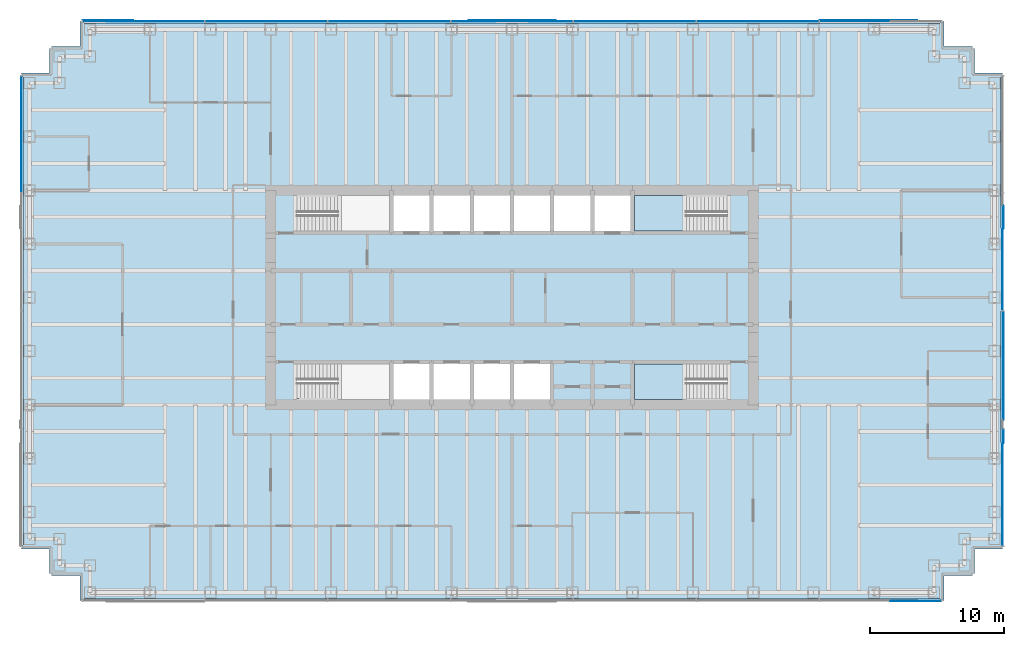
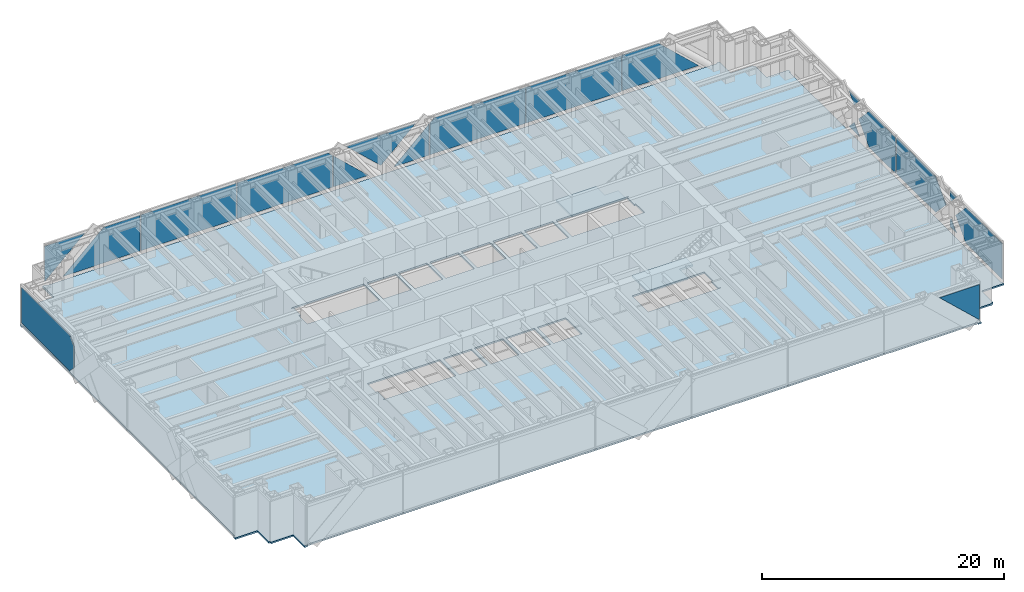
# One storey, part 10 of 18: 19 plates, 3 slabs, 6 elements without a shape of their own.
"""IFC4 building model written with IfcOpenShell, lengths in metres."""

from ifc_helpers import new_model, si_unit, direction, frame, origin, origin_2d, place, context, subcontext, project, spatial, polyline, rectangle, outline, extrude, material, layer, layer_set, type_object, element, aggregate, save


model = new_model("IFC4")

# Units and contexts
model_context = context("Model", 3, precision=1e-05, world=origin(), true_north=direction((0.0, 1.0)))
body_context = subcontext(model_context, "Body", "Model", "MODEL_VIEW")
ifc_project = project(units=[si_unit("LENGTHUNIT", "METRE"), si_unit("AREAUNIT", "SQUARE_METRE"), si_unit("VOLUMEUNIT", "CUBIC_METRE"), si_unit("PLANEANGLEUNIT", "RADIAN"), si_unit("MASSUNIT", "GRAM", prefix="KILO")], contexts=[model_context])

# Site, building, storey
site_placement = place(None, origin())
site = spatial("IfcSite", under=ifc_project, at=site_placement, CompositionType="ELEMENT")
building_placement = place(site_placement, origin())
building = spatial("IfcBuilding", under=site, at=building_placement, Name="Rheinbord Bourse Tower", CompositionType="ELEMENT")
storey_placement = place(building_placement, frame((0.0, 0.0, 244.60009765625)))
storey = spatial("IfcBuildingStorey", under=building, at=storey_placement, Name="L55", CompositionType="ELEMENT", Elevation=244.60009765625)

# Slab
ifc_material_1 = material(Name="Concrete C30/37", Category="concrete")
ifc_layer_1 = layer(ifc_material_1, 0.159912109375)
ifc_layer_set_1 = layer_set([ifc_layer_1], Name="COMPOSITE FLOOR SLAB 160")
slab_type_1 = type_object("IfcSlabType", Name="COMPOSITE FLOOR SLAB 160", PredefinedType="FLOOR", material=ifc_layer_set_1)
slab_1_placement = place(storey_placement, frame((0.0, 0.0, -0.16015625)))
element("IfcSlab", 1, at=slab_1_placement, inside=storey, type_object=slab_type_1, Name="Floor slab L55", PredefinedType="FLOOR", context=body_context, shape_type="SweptSolid", body=[
    extrude(outline(polyline([(1.64990234375, 3.39990234375), (1.5, 3.39990234375), (1.5, 5.25), (-0.60009765625, 5.25), (-0.60009765625, 5.550048828125), (-0.5, 5.550048828125), (-0.5, 40.449951171875), (-0.60009765625, 40.449951171875), (-0.60009765625, 40.75), (1.5, 40.75), (1.5, 42.60009765625), (1.64990234375, 42.60009765625), (1.64990234375, 42.75), (3.75, 42.75), (3.75, 44.60009765625), (4.050048828125, 44.60009765625), (4.050048828125, 44.5), (67.949951171875, 44.5), (67.949951171875, 44.60009765625), (68.25, 44.60009765625), (68.25, 42.75), (70.35009765625, 42.75), (70.35009765625, 42.60009765625), (70.5, 42.60009765625), (70.5, 40.75), (72.60009765625, 40.75), (72.60009765625, 40.449951171875), (72.5, 40.449951171875), (72.5, 5.550048828125), (72.60009765625, 5.550048828125), (72.60009765625, 5.25), (70.5, 5.25), (70.5, 3.39990234375), (70.35009765625, 3.39990234375), (70.35009765625, 3.25), (68.25, 3.25), (68.25, 1.39990234375), (67.949951171875, 1.39990234375), (67.949951171875, 1.5), (4.050048828125, 1.5), (4.050048828125, 1.39990234375), (3.75, 1.39990234375), (3.75, 3.25), (1.64990234375, 3.25), (1.64990234375, 3.39990234375)]), holes=[polyline([(19.949951171875, 19.050048828125), (26.85009765625, 19.050048828125), (26.85009765625, 16.39990234375), (19.949951171875, 16.39990234375), (19.949951171875, 16.449951171875), (20.10009765625, 16.449951171875), (20.10009765625, 17.64990234375), (19.949951171875, 17.64990234375), (19.949951171875, 19.050048828125)]), polyline([(19.949951171875, 31.60009765625), (26.85009765625, 31.60009765625), (26.85009765625, 28.949951171875), (19.949951171875, 28.949951171875), (19.949951171875, 30.35009765625), (20.10009765625, 30.35009765625), (20.10009765625, 31.550048828125), (19.949951171875, 31.550048828125), (19.949951171875, 31.60009765625)]), polyline([(52.050048828125, 16.39990234375), (45.14990234375, 16.39990234375), (45.14990234375, 19.050048828125), (52.050048828125, 19.050048828125), (52.050048828125, 17.64990234375), (51.89990234375, 17.64990234375), (51.89990234375, 16.449951171875), (52.050048828125, 16.449951171875), (52.050048828125, 16.39990234375)]), polyline([(52.050048828125, 28.949951171875), (45.14990234375, 28.949951171875), (45.14990234375, 31.60009765625), (52.050048828125, 31.60009765625), (52.050048828125, 31.550048828125), (51.89990234375, 31.550048828125), (51.89990234375, 30.35009765625), (52.050048828125, 30.35009765625), (52.050048828125, 28.949951171875)]), polyline([(27.14990234375, 16.39990234375), (27.14990234375, 19.050048828125), (29.85009765625, 19.050048828125), (29.85009765625, 16.39990234375), (27.14990234375, 16.39990234375)]), polyline([(27.14990234375, 28.949951171875), (27.14990234375, 31.60009765625), (29.85009765625, 31.60009765625), (29.85009765625, 28.949951171875), (27.14990234375, 28.949951171875)]), polyline([(30.14990234375, 16.39990234375), (30.14990234375, 19.050048828125), (32.85009765625, 19.050048828125), (32.85009765625, 16.39990234375), (30.14990234375, 16.39990234375)]), polyline([(30.14990234375, 28.949951171875), (30.14990234375, 31.60009765625), (32.85009765625, 31.60009765625), (32.85009765625, 28.949951171875), (30.14990234375, 28.949951171875)]), polyline([(33.14990234375, 16.39990234375), (33.14990234375, 19.050048828125), (35.85009765625, 19.050048828125), (35.85009765625, 16.39990234375), (33.14990234375, 16.39990234375)]), polyline([(33.14990234375, 28.949951171875), (33.14990234375, 31.60009765625), (35.85009765625, 31.60009765625), (35.85009765625, 28.949951171875), (33.14990234375, 28.949951171875)]), polyline([(36.14990234375, 16.39990234375), (36.14990234375, 19.050048828125), (38.85009765625, 19.050048828125), (38.85009765625, 16.39990234375), (36.14990234375, 16.39990234375)]), polyline([(36.14990234375, 28.949951171875), (36.14990234375, 31.60009765625), (38.85009765625, 31.60009765625), (38.85009765625, 28.949951171875), (36.14990234375, 28.949951171875)]), polyline([(39.14990234375, 28.949951171875), (39.14990234375, 31.60009765625), (41.85009765625, 31.60009765625), (41.85009765625, 28.949951171875), (39.14990234375, 28.949951171875)]), polyline([(42.14990234375, 28.949951171875), (42.14990234375, 31.60009765625), (44.85009765625, 31.60009765625), (44.85009765625, 28.949951171875), (42.14990234375, 28.949951171875)])]), origin(), (0.0, 0.0, 1.0), 0.16015625),
])

# Curtain wall, plate
ifc_material_2 = material(Name="Dark glass and black aluminium", Category="aluminium")
curtain_wall_type = type_object("IfcCurtainWallType", Name="CW2 DARK GLASS CURTAIN WALL", PredefinedType="USERDEFINED", material=ifc_material_2)
curtain_wall_1_placement = place(storey_placement, origin())
curtain_wall_1 = element("IfcCurtainWall", 2, at=curtain_wall_1_placement, inside=storey, type_object=curtain_wall_type, Name="Curtain wall CW2 S L55", ObjectType="UNITISED CURTAIN WALL", PredefinedType="USERDEFINED")
ifc_material_3 = material(Name="Dark tinted triple insulating glass", Category="glass")
ifc_layer_2 = layer(ifc_material_3, 0.050048828125)
ifc_layer_set_2 = layer_set([ifc_layer_2], Name="CW2 DARK GLASS PANEL")
plate_type = type_object("IfcPlateType", Name="CW2 DARK GLASS PANEL", PredefinedType="CURTAIN_PANEL", material=ifc_layer_set_2)
plate_1_placement = place(storey_placement, frame((68.030029296875, 1.31982421875, 3.89990234375), z_axis=(0.0, 1.0, 0.0), x_axis=(0.0, 0.0, -1.0)))
plate_1 = element("IfcPlate", 3, at=plate_1_placement, type_object=plate_type, Name="CW2 glass facet 2", PredefinedType="CURTAIN_PANEL", context=body_context, shape_type="SweptSolid", body=[
    extrude(outline(polyline([(0.0, 0.0), (3.56689453125, 0.0), (0.0, 3.822021484375), (0.0, 0.0)])), origin(), (0.0, 0.0, 1.0), 0.050048828125),
])
aggregate(curtain_wall_1, [plate_1])

# Curtain wall, plates
curtain_wall_2_placement = place(storey_placement, origin())
curtain_wall_2 = element("IfcCurtainWall", 4, at=curtain_wall_2_placement, inside=storey, type_object=curtain_wall_type, Name="Curtain wall CW2 E L55", ObjectType="UNITISED CURTAIN WALL", PredefinedType="USERDEFINED")
plate_2_placement = place(storey_placement, frame((72.625, 5.469970703125, 0.2998046875), z_axis=(-1.0, 0.0, 0.0), x_axis=(0.0, 0.0, 1.0)))
plate_2 = element("IfcPlate", 5, at=plate_2_placement, type_object=plate_type, Name="CW2 glass facet 1", PredefinedType="CURTAIN_PANEL", context=body_context, shape_type="SweptSolid", body=[
    extrude(outline(polyline([(0.0, 0.0), (3.60009765625, 0.0), (3.60009765625, 5.97998046875), (1.800048828125, 7.695068359375), (0.0, 5.97998046875), (0.0, 0.0)])), origin(), (0.0, 0.0, 1.0), 0.050048828125),
])
plate_3_placement = place(storey_placement, frame((72.68017578125, 14.1650390625, 0.2998046875), z_axis=(-1.0, 0.0, 0.0), x_axis=(0.0, -1.0, 0.0)))
plate_3 = element("IfcPlate", 6, at=plate_3_placement, type_object=plate_type, Name="CW2 glass facet 2", PredefinedType="CURTAIN_PANEL", context=body_context, shape_type="SweptSolid", body=[
    extrude(outline(polyline([(0.0, 0.0), (1.0439453125, 0.0), (0.1650390625, 0.923095703125), (0.0, 0.7490234375), (0.0, 0.0)])), origin(), (0.0, 0.0, 1.0), 0.050048828125),
])
plate_4_placement = place(storey_placement, frame((72.68017578125, 14.1650390625, 3.89990234375), z_axis=(-1.0, 0.0, 0.0), x_axis=(0.0, 0.0, -1.0)))
plate_4 = element("IfcPlate", 7, at=plate_4_placement, type_object=plate_type, Name="CW2 glass facet 3", PredefinedType="CURTAIN_PANEL", context=body_context, shape_type="SweptSolid", body=[
    extrude(outline(polyline([(0.0, 0.0), (0.7490234375, 0.0), (0.923095703125, 0.1650390625), (0.0, 1.0439453125), (0.0, 0.0)])), origin(), (0.0, 0.0, 1.0), 0.050048828125),
])
plate_5_placement = place(storey_placement, frame((72.68017578125, 22.965087890625, 3.89990234375), z_axis=(-1.0, 0.0, 0.0), x_axis=(0.0, 0.0, -1.0)))
plate_5 = element("IfcPlate", 8, at=plate_5_placement, type_object=plate_type, Name="CW2 glass facet 3", PredefinedType="CURTAIN_PANEL", context=body_context, shape_type="SweptSolid", body=[
    extrude(outline(polyline([(0.0, 0.0), (3.60009765625, 0.0), (3.60009765625, 6.4150390625), (1.800048828125, 8.130126953125), (0.0, 6.4150390625), (0.0, 0.0)])), origin(), (0.0, 0.0, 1.0), 0.050048828125),
])
plate_6_placement = place(storey_placement, frame((72.625, 23.034912109375, 0.2998046875), z_axis=(-1.0, 0.0, 0.0), x_axis=(0.0, 0.0, 1.0)))
plate_6 = element("IfcPlate", 9, at=plate_6_placement, type_object=plate_type, Name="CW2 glass facet 1", PredefinedType="CURTAIN_PANEL", context=body_context, shape_type="SweptSolid", body=[
    extrude(outline(polyline([(0.0, 0.0), (3.60009765625, 0.0), (3.60009765625, 4.4150390625), (1.800048828125, 6.130126953125), (0.0, 4.4150390625), (0.0, 0.0)])), origin(), (0.0, 0.0, 1.0), 0.050048828125),
])
plate_7_placement = place(storey_placement, frame((72.68017578125, 29.12109375, 0.2998046875), z_axis=(-1.0, 0.0, 0.0), x_axis=(0.0, 0.689559508121, 0.724229027835)))
plate_7 = element("IfcPlate", 10, at=plate_7_placement, type_object=plate_type, Name="CW2 glass facet 2", PredefinedType="CURTAIN_PANEL", context=body_context, shape_type="SweptSolid", body=[
    extrude(outline(polyline([(0.0, 0.0), (1.274658203125, 0.0), (1.212158203125, 1.27294921875), (0.0, 0.0)])), origin(), (0.0, 0.0, 1.0), 0.050048828125),
])
plate_8_placement = place(storey_placement, frame((72.68017578125, 30.87890625, 3.89990234375), z_axis=(-1.0, 0.0, 0.0), x_axis=(0.0, -0.689559508121, -0.724229027835)))
plate_8 = element("IfcPlate", 11, at=plate_8_placement, type_object=plate_type, Name="CW2 glass facet 3", PredefinedType="CURTAIN_PANEL", context=body_context, shape_type="SweptSolid", body=[
    extrude(outline(polyline([(0.0, 0.0), (1.274658203125, 0.0), (1.212158203125, 1.27294921875), (0.0, 0.0)])), origin(), (0.0, 0.0, 1.0), 0.050048828125),
])
aggregate(curtain_wall_2, [plate_2, plate_3, plate_4, plate_5, plate_6, plate_7, plate_8])

curtain_wall_3_placement = place(storey_placement, origin())
curtain_wall_3 = element("IfcCurtainWall", 12, at=curtain_wall_3_placement, inside=storey, type_object=curtain_wall_type, Name="Curtain wall CW2 N L55", ObjectType="UNITISED CURTAIN WALL", PredefinedType="USERDEFINED")
plate_9_placement = place(storey_placement, frame((54.3427734375, 44.60009765625, 0.2998046875), z_axis=(0.0, 0.0, 1.0), x_axis=(-1.0, 0.0, 0.0)))
plate_9 = element("IfcPlate", 13, at=plate_9_placement, type_object=plate_type, Name="CW2 panel 2.1", PredefinedType="CURTAIN_PANEL", context=body_context, shape_type="SweptSolid", body=[
    extrude(rectangle(XDim=9.101318359375, YDim=0.050048828125, at=origin_2d()), origin(), (0.0, 0.0, 1.0), 3.60009765625),
])
plate_10_placement = place(storey_placement, frame((17.6572265625, 44.60009765625, 0.2998046875), z_axis=(0.0, 0.0, 1.0), x_axis=(-1.0, 0.0, 0.0)))
plate_10 = element("IfcPlate", 14, at=plate_10_placement, type_object=plate_type, Name="CW2 panel 6.1", PredefinedType="CURTAIN_PANEL", context=body_context, shape_type="SweptSolid", body=[
    extrude(rectangle(XDim=9.101318359375, YDim=0.050048828125, at=origin_2d()), origin(), (0.0, 0.0, 1.0), 3.60009765625),
])
plate_11_placement = place(storey_placement, frame((58.964111328125, 44.68017578125, 3.89990234375), z_axis=(0.0, -1.0, 0.0), x_axis=(0.0, 0.0, -1.0)))
plate_11 = element("IfcPlate", 15, at=plate_11_placement, type_object=plate_type, Name="CW2 glass facet 2", PredefinedType="CURTAIN_PANEL", context=body_context, shape_type="SweptSolid", body=[
    extrude(outline(polyline([(0.0, 0.0), (3.60009765625, 0.0), (3.60009765625, 7.327880859375), (0.0, 3.470947265625), (0.0, 0.0)])), origin(), (0.0, 0.0, 1.0), 0.050048828125),
])
plate_12_placement = place(storey_placement, frame((40.62109375, 44.625, 0.2998046875), z_axis=(0.0, -1.0, 0.0), x_axis=(1.0, 0.0, 0.0)))
plate_12 = element("IfcPlate", 16, at=plate_12_placement, type_object=plate_type, Name="CW2 glass facet 1", PredefinedType="CURTAIN_PANEL", context=body_context, shape_type="SweptSolid", body=[
    extrude(outline(polyline([(0.0, 0.0), (9.100830078125, 0.0), (9.100830078125, 3.60009765625), (0.44384765625, 3.60009765625), (0.0, 3.18505859375), (0.0, 0.0)])), origin(), (0.0, 0.0, 1.0), 0.050048828125),
])
plate_13_placement = place(storey_placement, frame((40.551025390625, 44.625, 0.2998046875), z_axis=(0.0, -1.0, 0.0), x_axis=(0.0, 0.0, 1.0)))
plate_13 = element("IfcPlate", 17, at=plate_13_placement, type_object=plate_type, Name="CW2 glass facet 1", PredefinedType="CURTAIN_PANEL", context=body_context, shape_type="SweptSolid", body=[
    extrude(outline(polyline([(0.0, 0.0), (3.1201171875, 0.0), (0.0, 3.343017578125), (0.0, 0.0)])), origin(), (0.0, 0.0, 1.0), 0.050048828125),
])
plate_14_placement = place(storey_placement, frame((32.7080078125, 44.68017578125, 3.89990234375), z_axis=(0.0, -1.0, 0.0), x_axis=(0.731111160705, 0.0, -0.682258360661)))
plate_14 = element("IfcPlate", 18, at=plate_14_placement, type_object=plate_type, Name="CW2 glass facet 2", PredefinedType="CURTAIN_PANEL", context=body_context, shape_type="SweptSolid", body=[
    extrude(outline(polyline([(0.0, 0.0), (4.502685546875, 0.0), (4.813720703125, 4.491943359375), (0.0, 0.0)])), origin(), (0.0, 0.0, 1.0), 0.050048828125),
])
plate_15_placement = place(storey_placement, frame((31.448974609375, 44.625, 0.2998046875), z_axis=(0.0, -1.0, 0.0), x_axis=(1.0, 0.0, 0.0)))
plate_15 = element("IfcPlate", 19, at=plate_15_placement, type_object=plate_type, Name="CW2 glass facet 3", PredefinedType="CURTAIN_PANEL", context=body_context, shape_type="SweptSolid", body=[
    extrude(outline(polyline([(0.0, 0.0), (3.343017578125, 0.0), (0.0, 3.1201171875), (0.0, 0.0)])), origin(), (0.0, 0.0, 1.0), 0.050048828125),
])
plate_16_placement = place(storey_placement, frame((22.278076171875, 44.625, 3.89990234375), z_axis=(0.0, -1.0, 0.0), x_axis=(0.0, 0.0, -1.0)))
plate_16 = element("IfcPlate", 20, at=plate_16_placement, type_object=plate_type, Name="CW2 glass facet 1", PredefinedType="CURTAIN_PANEL", context=body_context, shape_type="SweptSolid", body=[
    extrude(outline(polyline([(0.0, 0.0), (3.60009765625, 0.0), (3.60009765625, 9.100830078125), (0.4150390625, 9.100830078125), (0.0, 8.656982421875), (0.0, 0.0)])), origin(), (0.0, 0.0, 1.0), 0.050048828125),
])
plate_17_placement = place(storey_placement, frame((13.035888671875, 44.625, 0.2998046875), z_axis=(0.0, -1.0, 0.0), x_axis=(0.0, 0.0, 1.0)))
plate_17 = element("IfcPlate", 21, at=plate_17_placement, type_object=plate_type, Name="CW2 glass facet 1", PredefinedType="CURTAIN_PANEL", context=body_context, shape_type="SweptSolid", body=[
    extrude(outline(polyline([(0.0, 0.0), (3.60009765625, 0.0), (3.60009765625, 3.470947265625), (0.0, 7.327880859375), (0.0, 0.0)])), origin(), (0.0, 0.0, 1.0), 0.050048828125),
])
plate_18_placement = place(storey_placement, frame((3.969970703125, 44.68017578125, 3.89990234375), z_axis=(0.0, -1.0, 0.0), x_axis=(0.0, 0.0, -1.0)))
plate_18 = element("IfcPlate", 22, at=plate_18_placement, type_object=plate_type, Name="CW2 glass facet 2", PredefinedType="CURTAIN_PANEL", context=body_context, shape_type="SweptSolid", body=[
    extrude(outline(polyline([(0.0, 0.0), (3.56689453125, 0.0), (0.0, 3.822021484375), (0.0, 0.0)])), origin(), (0.0, 0.0, 1.0), 0.050048828125),
])
aggregate(curtain_wall_3, [plate_9, plate_10, plate_11, plate_12, plate_13, plate_14, plate_15, plate_16, plate_17, plate_18])

# Curtain wall, plate
curtain_wall_4_placement = place(storey_placement, origin())
curtain_wall_4 = element("IfcCurtainWall", 23, at=curtain_wall_4_placement, inside=storey, type_object=curtain_wall_type, Name="Curtain wall CW2 W L55", ObjectType="UNITISED CURTAIN WALL", PredefinedType="USERDEFINED")
plate_19_placement = place(storey_placement, frame((-0.625, 40.530029296875, 0.2998046875), z_axis=(1.0, 0.0, 0.0), x_axis=(0.0, 0.0, 1.0)))
plate_19 = element("IfcPlate", 24, at=plate_19_placement, type_object=plate_type, Name="CW2 glass facet 1", PredefinedType="CURTAIN_PANEL", context=body_context, shape_type="SweptSolid", body=[
    extrude(outline(polyline([(0.0, 0.0), (3.60009765625, 0.0), (3.60009765625, 7.97998046875), (2.84912109375, 8.695068359375), (0.75, 8.695068359375), (0.0, 7.97998046875), (0.0, 0.0)])), origin(), (0.0, 0.0, 1.0), 0.050048828125),
])
aggregate(curtain_wall_4, [plate_19])

# Stair, slab
ifc_material_4 = material(Name="Concrete C30/37", Category="concrete")
stair_type = type_object("IfcStairType", Name="CORE STAIR HALF TURN 4200", PredefinedType="HALF_TURN_STAIR", material=ifc_material_4)
stair_1_placement = place(storey_placement, origin())
stair_1 = element("IfcStair", 25, at=stair_1_placement, inside=storey, type_object=stair_type, Name="Stair ST3 L55, type CS6", PredefinedType="HALF_TURN_STAIR")
ifc_material_5 = material(Name="Concrete C30/37", Category="concrete")
ifc_layer_3 = layer(ifc_material_5, 0.199951171875)
ifc_layer_set_3 = layer_set([ifc_layer_3], Name="STAIR LANDING 200")
slab_type_2 = type_object("IfcSlabType", Name="STAIR LANDING 200", PredefinedType="LANDING", material=ifc_layer_set_3)
slab_2_placement = place(storey_placement, frame((0.0, 0.0, 1.89990234375)))
slab_2 = element("IfcSlab", 26, at=slab_2_placement, type_object=slab_type_2, Name="Half landing ST3 L55", PredefinedType="LANDING", context=body_context, shape_type="SweptSolid", body=[
    extrude(outline(polyline([(45.14990234375, 16.39990234375), (48.969970703125, 16.39990234375), (48.969970703125, 17.85009765625), (50.251953125, 17.85009765625), (50.251953125, 19.050048828125), (45.14990234375, 19.050048828125), (45.14990234375, 16.39990234375)])), origin(), (0.0, 0.0, 1.0), 0.199951171875),
])
aggregate(stair_1, [slab_2])

stair_2_placement = place(storey_placement, origin())
stair_2 = element("IfcStair", 27, at=stair_2_placement, inside=storey, type_object=stair_type, Name="Stair ST4 L55, type CS6", PredefinedType="HALF_TURN_STAIR")
slab_3_placement = place(storey_placement, frame((0.0, 0.0, 1.89990234375)))
slab_3 = element("IfcSlab", 28, at=slab_3_placement, type_object=slab_type_2, Name="Half landing ST4 L55", PredefinedType="LANDING", context=body_context, shape_type="SweptSolid", body=[
    extrude(outline(polyline([(45.14990234375, 28.949951171875), (50.251953125, 28.949951171875), (50.251953125, 30.14990234375), (48.969970703125, 30.14990234375), (48.969970703125, 31.60009765625), (45.14990234375, 31.60009765625), (45.14990234375, 28.949951171875)])), origin(), (0.0, 0.0, 1.0), 0.199951171875),
])
aggregate(stair_2, [slab_3])

save(model, "model.ifc")
